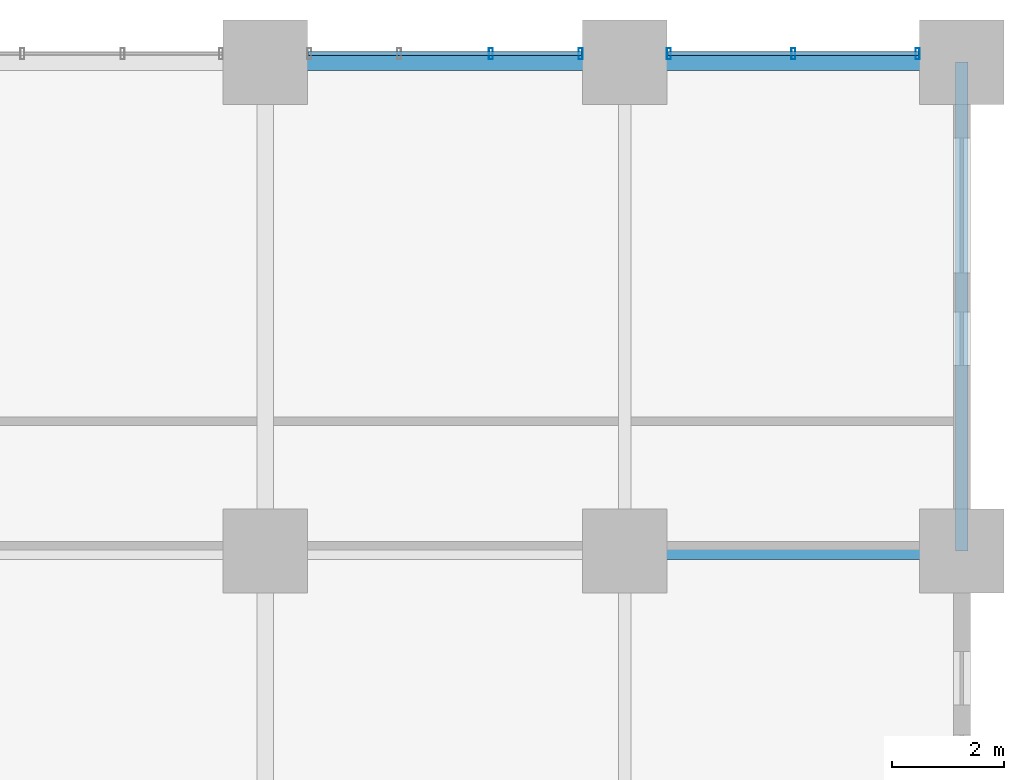
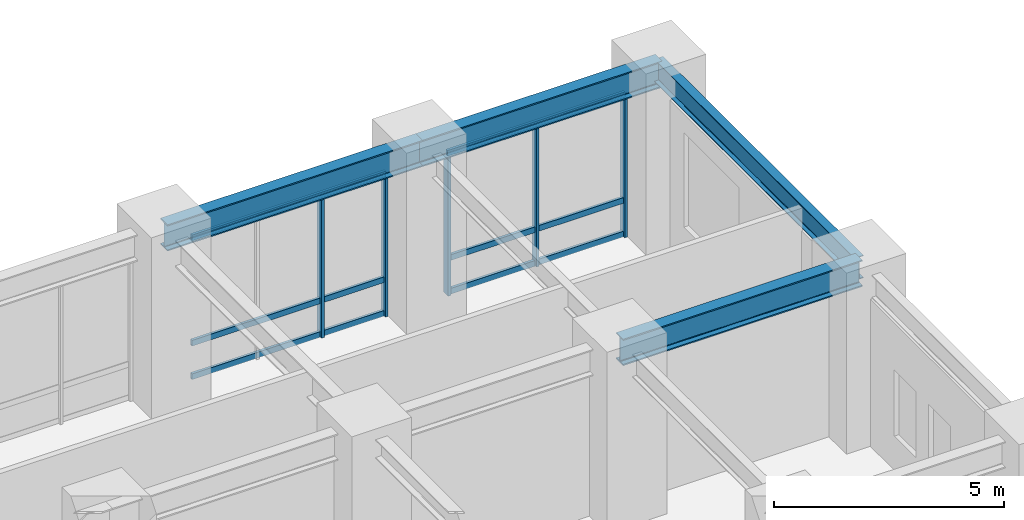
# One storey, part 12 of 22: 11 members, 4 beams, 2 elements without a shape of their own.
"""IFC4 building model written with IfcOpenShell, lengths in metres."""

from ifc_helpers import new_model, si_unit, direction, frame, origin, origin_2d, place, context, subcontext, project, spatial, hollow_rectangle, i_section, extrude, source, transform, mapped, material, layer, layer_set, material_profile, profile_set, type_object, element, aggregate, save


model = new_model("IFC4")

# Units and contexts
model_context = context("Model", 3, precision=1e-05, world=origin(), true_north=direction((0.0, 1.0)))
body_context = subcontext(model_context, "Body", "Model", "MODEL_VIEW")
ifc_project = project(units=[si_unit("LENGTHUNIT", "METRE"), si_unit("AREAUNIT", "SQUARE_METRE"), si_unit("VOLUMEUNIT", "CUBIC_METRE"), si_unit("PLANEANGLEUNIT", "RADIAN"), si_unit("MASSUNIT", "GRAM", prefix="KILO")], contexts=[model_context])

# Site, building, storey
site_placement = place(None, origin())
site = spatial("IfcSite", under=ifc_project, at=site_placement, CompositionType="ELEMENT")
building_placement = place(site_placement, origin())
building = spatial("IfcBuilding", under=site, at=building_placement, Name="Kaliganga Portal Commons", CompositionType="ELEMENT")
storey_placement = place(building_placement, frame((0.0, 0.0, 10.199951171875)))
storey = spatial("IfcBuildingStorey", under=building, at=storey_placement, Name="L02", CompositionType="ELEMENT", Elevation=10.199951171875)

# Beams
ifc_material_1 = material(Name="Structural steel S355J2", Category="steel")
ifc_material_profile_1 = material_profile(ifc_material_1, i_section(OverallWidth=0.300048828125, OverallDepth=0.699951171875, WebThickness=0.01708984375, FlangeThickness=0.031982421875, FilletRadius=0.027099609375, at=origin_2d()), Name="HE 700 B")
ifc_profile_set_1 = profile_set([ifc_material_profile_1], Name="Structural steel S355J2 wide-flange")
beam_type_1 = type_object("IfcBeamType", Name="BM-GIRD-700", PredefinedType="USERDEFINED", material=ifc_profile_set_1)
shared_shape_1 = source(origin(), body_context, "Body", "SweptSolid", [
    extrude(i_section(OverallWidth=0.300048828125, OverallDepth=0.699951171875, WebThickness=0.01708984375, FlangeThickness=0.031982421875, FilletRadius=0.027099609375, at=origin_2d()), origin(), (0.0, 0.0, 1.0), 6.0),
])
for number, where, z_axis, x_axis, name in (
    (1, (67.199951171875, 36.14990234375, 4.170166015625), (1.0, 0.0, 0.0), (0.0, 1.0, 0.0), "BM PODE L02 Y36 2"),
    (2, (67.199951171875, 44.85009765625, 4.170166015625), (1.0, 0.0, 0.0), (0.0, 1.0, 0.0), "BM PODE L02 Y44 2"),
):
    element("IfcBeam", number, at=place(storey_placement, frame(where, z_axis=z_axis, x_axis=x_axis)), inside=storey, type_object=beam_type_1, Name=name, ObjectType="GIRDER", PredefinedType="USERDEFINED", context=body_context, shape_type="MappedRepresentation", body=[
        mapped(shared_shape_1, transform((0.0, 0.0, 0.0), x_axis=(1.0, 0.0, 0.0), y_axis=(0.0, 1.0, 0.0), z_axis=(0.0, 0.0, 1.0), scale=1.0)),
    ])
shared_shape_2 = source(origin(), body_context, "Body", "SweptSolid", [
    extrude(i_section(OverallWidth=0.300048828125, OverallDepth=0.699951171875, WebThickness=0.01708984375, FlangeThickness=0.031982421875, FilletRadius=0.027099609375, at=origin_2d()), origin(), (0.0, 0.0, 1.0), 6.39990234375),
])
beam_1_placement = place(storey_placement, frame((60.800048828125, 44.85009765625, 4.170166015625), z_axis=(1.0, 0.0, 0.0), x_axis=(0.0, 1.0, 0.0)))
element("IfcBeam", 3, at=beam_1_placement, inside=storey, type_object=beam_type_1, Name="BM PODE L02 Y44 1", ObjectType="GIRDER", PredefinedType="USERDEFINED", context=body_context, shape_type="MappedRepresentation", body=[
    mapped(shared_shape_2, transform((0.0, 0.0, 0.0), x_axis=(1.0, 0.0, 0.0), y_axis=(0.0, 1.0, 0.0), z_axis=(0.0, 0.0, 1.0), scale=1.0)),
])
ifc_material_profile_2 = material_profile(ifc_material_1, i_section(OverallWidth=0.219970703125, OverallDepth=0.60009765625, WebThickness=0.011962890625, FlangeThickness=0.01904296875, FilletRadius=0.02392578125, at=origin_2d()), Name="IPE 600")
ifc_profile_set_2 = profile_set([ifc_material_profile_2], Name="Structural steel S355J2 wide-flange")
beam_type_2 = type_object("IfcBeamType", Name="BM-FLR-600", PredefinedType="BEAM", material=ifc_profile_set_2)
shared_shape_3 = source(origin(), body_context, "Body", "SweptSolid", [
    extrude(i_section(OverallWidth=0.219970703125, OverallDepth=0.60009765625, WebThickness=0.011962890625, FlangeThickness=0.01904296875, FilletRadius=0.02392578125, at=origin_2d()), origin(), (0.0, 0.0, 1.0), 8.7001953125),
])
beam_2_placement = place(storey_placement, frame((73.199951171875, 36.14990234375, 4.219970703125), z_axis=(0.0, 1.0, 0.0), x_axis=(-1.0, 0.0, 0.0)))
element("IfcBeam", 4, at=beam_2_placement, inside=storey, type_object=beam_type_2, Name="BM PODE L02 X73 6", PredefinedType="BEAM", context=body_context, shape_type="MappedRepresentation", body=[
    mapped(shared_shape_3, transform((0.0, 0.0, 0.0), x_axis=(1.0, 0.0, 0.0), y_axis=(0.0, 1.0, 0.0), z_axis=(0.0, 0.0, 1.0), scale=1.0)),
])

# Curtain wall, members
ifc_material_2 = material(Name="Anodized Aluminium and Laminated Low-E Glass", Category="aluminium")
ifc_layer = layer(ifc_material_2, 0.219970703125)
ifc_layer_set = layer_set([ifc_layer], Name="Anodized Aluminium and Laminated Low-E Glass")
curtain_wall_type = type_object("IfcCurtainWallType", Name="CW-SYS-01", PredefinedType="NOTDEFINED", material=ifc_layer_set)
curtain_wall_1_placement = place(storey_placement, origin())
curtain_wall_1 = element("IfcCurtainWall", 5, at=curtain_wall_1_placement, inside=storey, type_object=curtain_wall_type, Name="CW 01 L02 P1E02S1", PredefinedType="NOTDEFINED")
ifc_material_3 = material(Name="Dark Bronze Anodized Aluminium", Category="aluminium")
ifc_material_profile_3 = material_profile(ifc_material_3, hollow_rectangle(XDim=0.070068359375, YDim=0.14990234375, WallThickness=0.00341796875, at=origin_2d()), Name="ALU TRAN 70x150x3.5")
ifc_profile_set_3 = profile_set([ifc_material_profile_3], Name="Dark Bronze Anodized Aluminium")
member_type_1 = type_object("IfcMemberType", Name="CW-TRN-150", PredefinedType="USERDEFINED", material=ifc_profile_set_3)
shared_shape_4 = source(origin(), body_context, "Body", "SweptSolid", [
    extrude(hollow_rectangle(XDim=0.070068359375, YDim=0.14990234375, WallThickness=0.00341796875, at=origin_2d()), origin(), (0.0, 0.0, 1.0), 4.4580078125),
])
member_1_placement = place(storey_placement, frame((72.428955078125, 45.0, 0.06005859375), z_axis=(-1.0, 0.0, 0.0), x_axis=(0.0, -1.0, 0.0)))
member_1 = element("IfcMember", 6, at=member_1_placement, type_object=member_type_1, Name="CW:01:L02:P1E02S1 Transom 1", ObjectType="TRANSOM", PredefinedType="USERDEFINED", context=body_context, shape_type="MappedRepresentation", body=[
    mapped(shared_shape_4, transform((0.0, 0.0, 0.0), x_axis=(1.0, 0.0, 0.0), y_axis=(0.0, 1.0, 0.0), z_axis=(0.0, 0.0, 1.0), scale=1.0)),
])
member_2_placement = place(storey_placement, frame((72.428955078125, 45.0, 0.949951171875), z_axis=(-1.0, 0.0, 0.0), x_axis=(0.0, -1.0, 0.0)))
member_2 = element("IfcMember", 7, at=member_2_placement, type_object=member_type_1, Name="CW:01:L02:P1E02S1 Transom 2", ObjectType="TRANSOM", PredefinedType="USERDEFINED", context=body_context, shape_type="MappedRepresentation", body=[
    mapped(shared_shape_4, transform((0.0, 0.0, 0.0), x_axis=(1.0, 0.0, 0.0), y_axis=(0.0, 1.0, 0.0), z_axis=(0.0, 0.0, 1.0), scale=1.0)),
])
member_3_placement = place(storey_placement, frame((72.428955078125, 45.0, 3.739990234375), z_axis=(-1.0, 0.0, 0.0), x_axis=(0.0, -1.0, 0.0)))
member_3 = element("IfcMember", 8, at=member_3_placement, type_object=member_type_1, Name="CW:01:L02:P1E02S1 Transom 3", ObjectType="TRANSOM", PredefinedType="USERDEFINED", context=body_context, shape_type="MappedRepresentation", body=[
    mapped(shared_shape_4, transform((0.0, 0.0, 0.0), x_axis=(1.0, 0.0, 0.0), y_axis=(0.0, 1.0, 0.0), z_axis=(0.0, 0.0, 1.0), scale=1.0)),
])

curtain_wall_2_placement = place(storey_placement, origin())
curtain_wall_2 = element("IfcCurtainWall", 9, at=curtain_wall_2_placement, inside=storey, type_object=curtain_wall_type, Name="CW 01 L02 P1E02S2", PredefinedType="NOTDEFINED")
shared_shape_5 = source(origin(), body_context, "Body", "SweptSolid", [
    extrude(hollow_rectangle(XDim=0.070068359375, YDim=0.14990234375, WallThickness=0.00341796875, at=origin_2d()), origin(), (0.0, 0.0, 1.0), 4.85791015625),
])
member_4_placement = place(storey_placement, frame((66.428955078125, 45.0, 0.06005859375), z_axis=(-1.0, 0.0, 0.0), x_axis=(0.0, -1.0, 0.0)))
member_4 = element("IfcMember", 10, at=member_4_placement, type_object=member_type_1, Name="CW:01:L02:P1E02S2 Transom 1", ObjectType="TRANSOM", PredefinedType="USERDEFINED", context=body_context, shape_type="MappedRepresentation", body=[
    mapped(shared_shape_5, transform((0.0, 0.0, 0.0), x_axis=(1.0, 0.0, 0.0), y_axis=(0.0, 1.0, 0.0), z_axis=(0.0, 0.0, 1.0), scale=1.0)),
])
member_5_placement = place(storey_placement, frame((66.428955078125, 45.0, 0.949951171875), z_axis=(-1.0, 0.0, 0.0), x_axis=(0.0, -1.0, 0.0)))
member_5 = element("IfcMember", 11, at=member_5_placement, type_object=member_type_1, Name="CW:01:L02:P1E02S2 Transom 2", ObjectType="TRANSOM", PredefinedType="USERDEFINED", context=body_context, shape_type="MappedRepresentation", body=[
    mapped(shared_shape_5, transform((0.0, 0.0, 0.0), x_axis=(1.0, 0.0, 0.0), y_axis=(0.0, 1.0, 0.0), z_axis=(0.0, 0.0, 1.0), scale=1.0)),
])
member_6_placement = place(storey_placement, frame((66.428955078125, 45.0, 3.739990234375), z_axis=(-1.0, 0.0, 0.0), x_axis=(0.0, -1.0, 0.0)))
member_6 = element("IfcMember", 12, at=member_6_placement, type_object=member_type_1, Name="CW:01:L02:P1E02S2 Transom 3", ObjectType="TRANSOM", PredefinedType="USERDEFINED", context=body_context, shape_type="MappedRepresentation", body=[
    mapped(shared_shape_5, transform((0.0, 0.0, 0.0), x_axis=(1.0, 0.0, 0.0), y_axis=(0.0, 1.0, 0.0), z_axis=(0.0, 0.0, 1.0), scale=1.0)),
])

# Member
ifc_material_profile_4 = material_profile(ifc_material_3, hollow_rectangle(XDim=0.070068359375, YDim=0.199951171875, WallThickness=0.00390625, at=origin_2d()), Name="ALU MULL 70x200x4")
ifc_profile_set_4 = profile_set([ifc_material_profile_4], Name="Dark Bronze Anodized Aluminium")
member_type_2 = type_object("IfcMemberType", Name="CW-MUL-220", PredefinedType="MULLION", material=ifc_profile_set_4)
shared_shape_6 = source(origin(), body_context, "Body", "SweptSolid", [
    extrude(hollow_rectangle(XDim=0.070068359375, YDim=0.199951171875, WallThickness=0.00390625, at=origin_2d()), origin(), (0.0, 0.0, 1.0), 3.820068359375),
])
member_7_placement = place(storey_placement, frame((72.4140625, 45.0, 0.0), z_axis=(0.0, 0.0, 1.0), x_axis=(-1.0, 0.0, 0.0)))
member_7 = element("IfcMember", 13, at=member_7_placement, type_object=member_type_2, Name="CW:01:L02:P1E02S1 Mullion 00", PredefinedType="MULLION", context=body_context, shape_type="MappedRepresentation", body=[
    mapped(shared_shape_6, transform((0.0, 0.0, 0.0), x_axis=(1.0, 0.0, 0.0), y_axis=(0.0, 1.0, 0.0), z_axis=(0.0, 0.0, 1.0), scale=1.0)),
])

member_8_placement = place(storey_placement, frame((70.199951171875, 45.0, 0.0), z_axis=(0.0, 0.0, 1.0), x_axis=(-1.0, 0.0, 0.0)))
member_8 = element("IfcMember", 14, at=member_8_placement, type_object=member_type_2, Name="CW:01:L02:P1E02S1 Mullion 01", PredefinedType="MULLION", context=body_context, shape_type="MappedRepresentation", body=[
    mapped(shared_shape_6, transform((0.0, 0.0, 0.0), x_axis=(1.0, 0.0, 0.0), y_axis=(0.0, 1.0, 0.0), z_axis=(0.0, 0.0, 1.0), scale=1.0)),
])

member_9_placement = place(storey_placement, frame((67.986083984375, 45.0, 0.0), z_axis=(0.0, 0.0, 1.0), x_axis=(-1.0, 0.0, 0.0)))
member_9 = element("IfcMember", 15, at=member_9_placement, type_object=member_type_2, Name="CW:01:L02:P1E02S1 Mullion 02", PredefinedType="MULLION", context=body_context, shape_type="MappedRepresentation", body=[
    mapped(shared_shape_6, transform((0.0, 0.0, 0.0), x_axis=(1.0, 0.0, 0.0), y_axis=(0.0, 1.0, 0.0), z_axis=(0.0, 0.0, 1.0), scale=1.0)),
])

aggregate(curtain_wall_1, [member_7, member_8, member_9, member_1, member_2, member_3])

member_10_placement = place(storey_placement, frame((66.4140625, 45.0, 0.0), z_axis=(0.0, 0.0, 1.0), x_axis=(-1.0, 0.0, 0.0)))
member_10 = element("IfcMember", 16, at=member_10_placement, type_object=member_type_2, Name="CW:01:L02:P1E02S2 Mullion 00", PredefinedType="MULLION", context=body_context, shape_type="MappedRepresentation", body=[
    mapped(shared_shape_6, transform((0.0, 0.0, 0.0), x_axis=(1.0, 0.0, 0.0), y_axis=(0.0, 1.0, 0.0), z_axis=(0.0, 0.0, 1.0), scale=1.0)),
])

member_11_placement = place(storey_placement, frame((64.81640625, 45.0, 0.0), z_axis=(0.0, 0.0, 1.0), x_axis=(-1.0, 0.0, 0.0)))
member_11 = element("IfcMember", 17, at=member_11_placement, type_object=member_type_2, Name="CW:01:L02:P1E02S2 Mullion 01", PredefinedType="MULLION", context=body_context, shape_type="MappedRepresentation", body=[
    mapped(shared_shape_6, transform((0.0, 0.0, 0.0), x_axis=(1.0, 0.0, 0.0), y_axis=(0.0, 1.0, 0.0), z_axis=(0.0, 0.0, 1.0), scale=1.0)),
])

aggregate(curtain_wall_2, [member_10, member_11, member_4, member_5, member_6])

save(model, "model.ifc")
